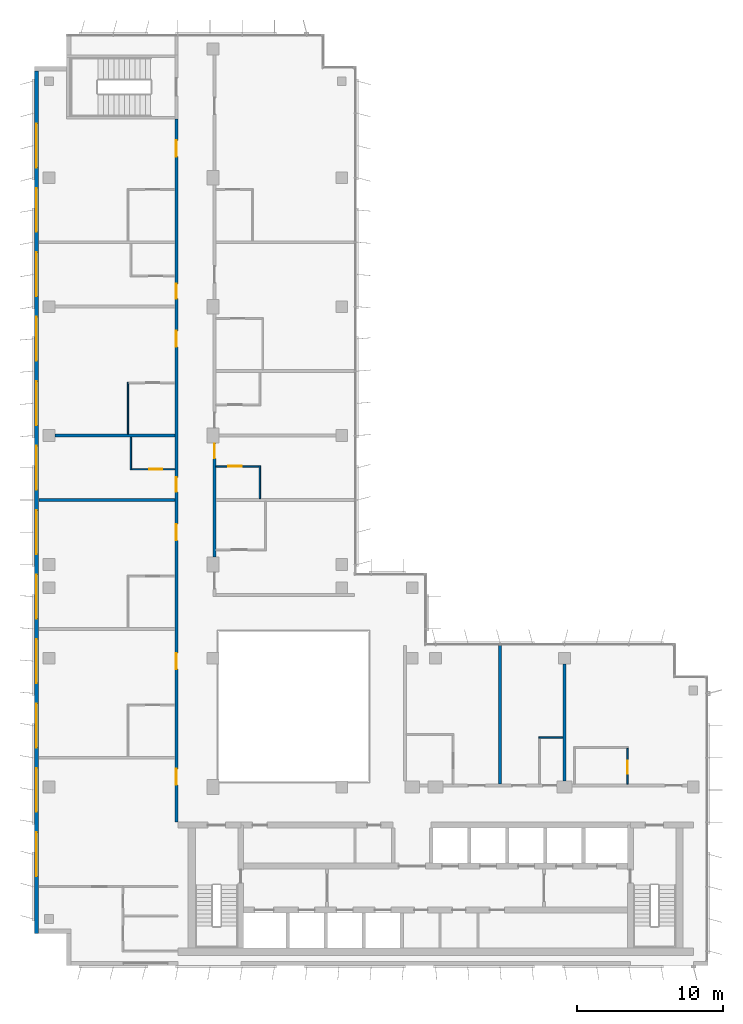
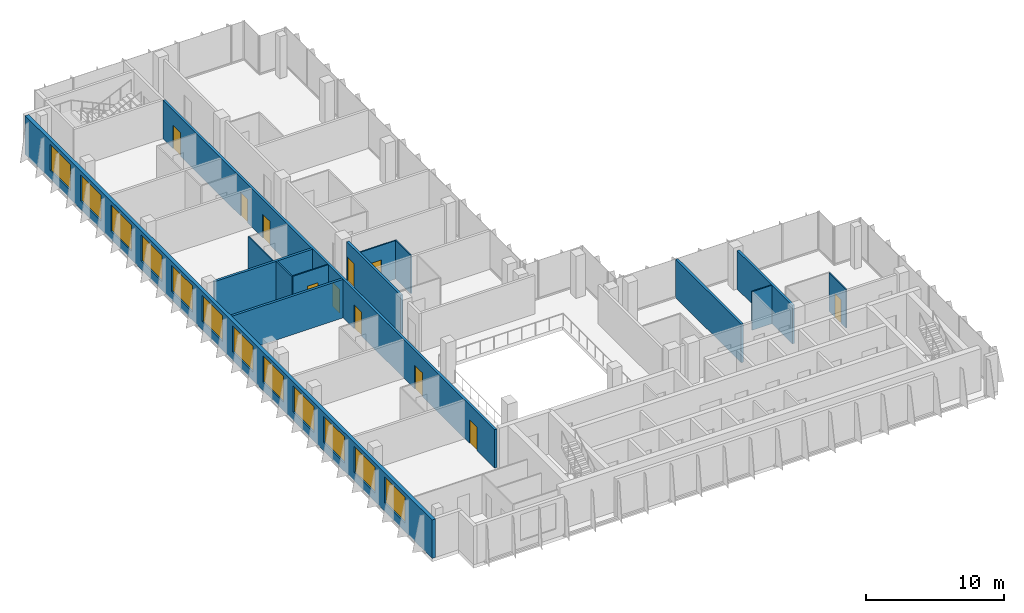
# One storey, part 11 of 16: 14 walls, 12 windows, 11 doors, 23 openings.
"""IFC4 building model written with IfcOpenShell, lengths in metres."""

import ifcopenshell
import ifcopenshell.guid

model = None  # the IFC model being written
_history = None  # IfcOwnerHistory: only IFC2X3 demands one
_inside = {}  # id of a spatial element -> (the spatial element, [elements in it])
_under = {}  # id of a project, library or spatial element -> (it, [spatial elements below it])
_declared = {}  # id of a project -> (the project, [libraries it declares])
_typed = {}  # id of a type object -> (the type object, [elements of that type])
_made_of = {}  # id of a material, layer set ... -> (it, [elements and type objects made of it])


def new_model(schema):
    """Start an empty IFC model of exactly this schema.

    Asked for "IFC4X3", IfcOpenShell would pick the latest addendum, in which some entities
    have other attributes; the version numbers below select the first issue.
    IFC2X3 requires an IfcOwnerHistory on every rooted entity: one is made here for all.
    """
    global model, _history
    if schema == "IFC4X3":
        model = ifcopenshell.file(schema_version=(4, 3, 0, 0))
    else:
        model = ifcopenshell.file(schema=schema)
    _inside.clear()
    _under.clear()
    _declared.clear()
    _typed.clear()
    _made_of.clear()
    _history = None
    if model.schema == "IFC2X3":
        org = make("IfcOrganization", Name="unknown")
        user = make(
            "IfcPersonAndOrganization",
            ThePerson=make("IfcPerson", FamilyName="unknown"),
            TheOrganization=org,
        )
        app = make(
            "IfcApplication",
            ApplicationDeveloper=org,
            Version="unknown",
            ApplicationFullName="unknown",
            ApplicationIdentifier="unknown",
        )
        _history = make(
            "IfcOwnerHistory",
            OwningUser=user,
            OwningApplication=app,
            ChangeAction="ADDED",
            CreationDate=0,
        )
    return model


def make(cls, **values):
    """One entity of the class cls with the attributes given. An attribute that is None is left unset."""
    return model.create_entity(
        cls, **{name: value for name, value in values.items() if value is not None}
    )


def rooted(cls, **values):
    """An entity with a GlobalId (a new one), such as an element, a storey or a relation."""
    return make(cls, GlobalId=ifcopenshell.guid.new(), OwnerHistory=_history, **values)


def si_unit(unit_type, name, prefix=None):
    """IfcSIUnit, for example si_unit("LENGTHUNIT", "METRE", prefix="MILLI")."""
    return make("IfcSIUnit", UnitType=unit_type, Prefix=prefix, Name=name)


def assignment(units):
    """IfcUnitAssignment: the units of a project."""
    return None if units is None else make("IfcUnitAssignment", Units=units)


def point(xyz):
    """IfcCartesianPoint."""
    return None if xyz is None else make("IfcCartesianPoint", Coordinates=xyz)


def direction(xyz):
    """IfcDirection."""
    return None if xyz is None else make("IfcDirection", DirectionRatios=xyz)


def frame(location, z_axis=None, x_axis=None):
    """IfcAxis2Placement3D, a coordinate frame: its origin and axes. An axis left out is left unset."""
    return make(
        "IfcAxis2Placement3D",
        Location=point(location),
        Axis=direction(z_axis),
        RefDirection=direction(x_axis),
    )


def frame_2d(location, x_axis=None):
    """IfcAxis2Placement2D, a coordinate frame in the plane: its origin and x axis."""
    return make(
        "IfcAxis2Placement2D", Location=point(location), RefDirection=direction(x_axis)
    )


def origin():
    """The frame at (0, 0, 0) with its axes left unset."""
    return frame((0.0, 0.0, 0.0))


def place(relative_to, where):
    """IfcLocalPlacement: puts the frame where relative to a parent placement (None: the world)."""
    return make(
        "IfcLocalPlacement", PlacementRelTo=relative_to, RelativePlacement=where
    )


def context(
    kind, dimensions, precision=None, world=None, true_north=None, identifier=None
):
    """IfcGeometricRepresentationContext, for example the 3D "Model" context."""
    return make(
        "IfcGeometricRepresentationContext",
        ContextIdentifier=identifier,
        ContextType=kind,
        CoordinateSpaceDimension=dimensions,
        Precision=precision,
        WorldCoordinateSystem=world,
        TrueNorth=true_north,
    )


def subcontext(parent, identifier, kind, view, scale=None):
    """IfcGeometricRepresentationSubContext, for example "Body" below "Model"."""
    return make(
        "IfcGeometricRepresentationSubContext",
        ContextIdentifier=identifier,
        ContextType=kind,
        ParentContext=parent,
        TargetScale=scale,
        TargetView=view,
    )


def project(units=None, contexts=None):
    """IfcProject with its units and contexts."""
    return rooted(
        "IfcProject",
        Name="project",
        RepresentationContexts=contexts,
        UnitsInContext=assignment(units),
    )


def spatial(cls, under=None, at=None, **own):
    """A site, building, storey or space (cls), placed at a placement, below another one or the project."""
    s = rooted(cls, ObjectPlacement=at, **own)
    if under is not None:
        _under.setdefault(under.id(), (under, []))[1].append(s)
    return s


def profile(cls, at=None, kind="AREA", **sizes):
    """A parametric profile (cls). Its sizes go by their IFC names, for example OverallWidth=200.0."""
    return make(cls, ProfileType=kind, Position=at, **sizes)


def rectangle(**sizes):
    """IfcRectangleProfileDef."""
    return profile("IfcRectangleProfileDef", **sizes)


def extrude(swept, where, along, depth):
    """IfcExtrudedAreaSolid: the profile swept, set in the frame where, extruded along a direction by depth."""
    return make(
        "IfcExtrudedAreaSolid",
        SweptArea=swept,
        Position=where,
        ExtrudedDirection=direction(along),
        Depth=depth,
    )


def shape(context_of_items, identifier, shape_type, items):
    """IfcShapeRepresentation: the items that make up one representation, for example the "Body"."""
    return make(
        "IfcShapeRepresentation",
        ContextOfItems=context_of_items,
        RepresentationIdentifier=identifier,
        RepresentationType=shape_type,
        Items=items,
    )


def material(Name=None, Category=None):
    """IfcMaterial."""
    return make("IfcMaterial", Name=Name, Category=Category)


def layer(
    of_material, thickness, ventilated=None, Name=None, Category=None, Priority=None
):
    """IfcMaterialLayer: one layer of a wall or slab, of a material (None: an air gap)."""
    return make(
        "IfcMaterialLayer",
        Material=of_material,
        LayerThickness=thickness,
        IsVentilated=ventilated,
        Name=Name,
        Category=Category,
        Priority=Priority,
    )


def layer_set(layers, Name=None):
    """IfcMaterialLayerSet."""
    return make("IfcMaterialLayerSet", MaterialLayers=layers, LayerSetName=Name)


def made_of(thing, what):
    """Note that an element or type object is made of a material, layer set ...; save() writes the relation."""
    if what is not None:
        _made_of.setdefault(what.id(), (what, []))[1].append(thing)
    return thing


def type_object(cls, material=None, **own):
    """A type object (cls), such as IfcWallType, which elements share."""
    return made_of(rooted(cls, **own), material)


def element(
    cls,
    number,
    at=None,
    inside=None,
    cuts=None,
    type_object=None,
    material=None,
    context=None,
    identifier="Body",
    shape_type=None,
    held_by="IfcProductDefinitionShape",
    body=None,
    shapes=None,
    **own,
):
    """One element of the class cls, such as IfcWall. Its Tag is "e" and its number.

    at: its placement. inside: the storey or other place that contains it. cuts: it is an
    opening in that element (IfcRelVoidsElement). A single representation is given by context,
    identifier, shape_type and body (its items); several are given by shapes. held_by: the class
    of the entity that holds the representations. save() writes the other relations.
    """
    e = rooted(cls, Tag="e%d" % number, ObjectPlacement=at, **own)
    if body is not None:
        shapes = [shape(context, identifier, shape_type, body)]
    if shapes is not None:
        e.Representation = make(held_by, Representations=shapes)
    if inside is not None:
        _inside.setdefault(inside.id(), (inside, []))[1].append(e)
    if cuts is not None:
        rooted(
            "IfcRelVoidsElement", RelatingBuildingElement=cuts, RelatedOpeningElement=e
        )
    if type_object is not None:
        _typed.setdefault(type_object.id(), (type_object, []))[1].append(e)
    return made_of(e, material)


def fill(opening, filler):
    """IfcRelFillsElement: the door or window that sits in an opening."""
    return rooted(
        "IfcRelFillsElement",
        RelatingOpeningElement=opening,
        RelatedBuildingElement=filler,
    )


def aggregate(whole, parts):
    """IfcRelAggregates: a whole, such as a stair, and the parts it consists of."""
    return rooted("IfcRelAggregates", RelatingObject=whole, RelatedObjects=parts)


def save(model, path):
    """Write the relations noted so far, then the file.

    IfcRelAggregates (storeys below a building ...), IfcRelContainedInSpatialStructure (elements
    in a storey), IfcRelDefinesByType, IfcRelAssociatesMaterial and IfcRelDeclares: one each for
    every whole, place, type object, material and project.
    """
    for whole, parts in _under.values():
        aggregate(whole, parts)
    for where, things in _inside.values():
        rooted(
            "IfcRelContainedInSpatialStructure",
            RelatedElements=things,
            RelatingStructure=where,
        )
    for kind, things in _typed.values():
        rooted("IfcRelDefinesByType", RelatedObjects=things, RelatingType=kind)
    for what, things in _made_of.values():
        rooted("IfcRelAssociatesMaterial", RelatedObjects=things, RelatingMaterial=what)
    for by, libraries in _declared.values():
        rooted("IfcRelDeclares", RelatingContext=by, RelatedDefinitions=libraries)
    model.write(path)


model = new_model("IFC4")

# Units and contexts
model_context = context("Model", 3, precision=1e-05, world=origin(), true_north=direction((0.0, 1.0)))
body_context = subcontext(model_context, "Body", "Model", "MODEL_VIEW")
ifc_project = project(units=[si_unit("LENGTHUNIT", "METRE"), si_unit("AREAUNIT", "SQUARE_METRE"), si_unit("VOLUMEUNIT", "CUBIC_METRE"), si_unit("PLANEANGLEUNIT", "RADIAN"), si_unit("MASSUNIT", "GRAM", prefix="KILO")], contexts=[model_context])

# Site, building, storey
site_placement = place(None, origin())
site = spatial("IfcSite", under=ifc_project, at=site_placement, CompositionType="ELEMENT")
building_placement = place(site_placement, origin())
building = spatial("IfcBuilding", under=site, at=building_placement, Name="Kemantara Hotel Tower", CompositionType="ELEMENT")
storey_placement = place(building_placement, frame((0.0, 0.0, 272.199951171875)))
storey = spatial("IfcBuildingStorey", under=building, at=storey_placement, Name="L68", CompositionType="ELEMENT", Elevation=272.199951171875)

# Wall, openings, windows
ifc_material_1 = material(Name="Bronze anodised aluminium cladding on insulated steel stud wall", Category="steel")
ifc_layer_1 = layer(ifc_material_1, 0.300048828125)
ifc_layer_set_1 = layer_set([ifc_layer_1], Name="Bronze anodised aluminium cladding on insulated steel stud wall")
wall_type_1 = type_object("IfcWallType", Name="BRONZE METAL-CLAD EXTERNAL WALL 300", PredefinedType="STANDARD", material=ifc_layer_set_1)
wall_1_placement = place(storey_placement, frame((0.14990234375, 61.10009765625, 0.0), z_axis=(0.0, 0.0, 1.0), x_axis=(0.0, -1.0, 0.0)))
wall_1 = element("IfcWall", 1, at=wall_1_placement, inside=storey, type_object=wall_type_1, Name="EXTERNAL WALL L68 T4-R05", PredefinedType="STANDARD", context=body_context, shape_type="SweptSolid", body=[
    extrude(rectangle(XDim=58.900146484375, YDim=0.300048828125, at=frame_2d((29.4501953125, 0.0))), origin(), (0.0, 0.0, 1.0), 3.400146484375),
])
opening_1_placement = place(wall_1_placement, frame((3.60009765625, 0.0, 0.75)))
opening_1 = element("IfcOpeningElement", 2, at=opening_1_placement, cuts=wall_1, Name="Opening W1", PredefinedType="OPENING", context=body_context, shape_type="SweptSolid", body=[
    extrude(rectangle(XDim=3.0, YDim=2.300048828125, at=frame_2d((1.5, 1.14990234375))), frame((0.0, 0.159912109375, 0.0), z_axis=(0.0, -1.0, 0.0), x_axis=(1.0, 0.0, 0.0)), (0.0, 0.0, 1.0), 0.320068359375),
])
opening_2_placement = place(wall_1_placement, frame((8.0, 0.0, 0.75)))
opening_2 = element("IfcOpeningElement", 3, at=opening_2_placement, cuts=wall_1, Name="Opening W1", PredefinedType="OPENING", context=body_context, shape_type="SweptSolid", body=[
    extrude(rectangle(XDim=3.0, YDim=2.300048828125, at=frame_2d((1.5, 1.14990234375))), frame((0.0, 0.159912109375, 0.0), z_axis=(0.0, -1.0, 0.0), x_axis=(1.0, 0.0, 0.0)), (0.0, 0.0, 1.0), 0.320068359375),
])
opening_3_placement = place(wall_1_placement, frame((12.39990234375, 0.0, 0.75)))
opening_3 = element("IfcOpeningElement", 4, at=opening_3_placement, cuts=wall_1, Name="Opening W1", PredefinedType="OPENING", context=body_context, shape_type="SweptSolid", body=[
    extrude(rectangle(XDim=3.0, YDim=2.300048828125, at=frame_2d((1.5, 1.14990234375))), frame((0.0, 0.159912109375, 0.0), z_axis=(0.0, -1.0, 0.0), x_axis=(1.0, 0.0, 0.0)), (0.0, 0.0, 1.0), 0.320068359375),
])
opening_4_placement = place(wall_1_placement, frame((16.800048828125, 0.0, 0.75)))
opening_4 = element("IfcOpeningElement", 5, at=opening_4_placement, cuts=wall_1, Name="Opening W1", PredefinedType="OPENING", context=body_context, shape_type="SweptSolid", body=[
    extrude(rectangle(XDim=3.0, YDim=2.300048828125, at=frame_2d((1.5, 1.14990234375))), frame((0.0, 0.159912109375, 0.0), z_axis=(0.0, -1.0, 0.0), x_axis=(1.0, 0.0, 0.0)), (0.0, 0.0, 1.0), 0.320068359375),
])
opening_5_placement = place(wall_1_placement, frame((21.199951171875, 0.0, 0.75)))
opening_5 = element("IfcOpeningElement", 6, at=opening_5_placement, cuts=wall_1, Name="Opening W1", PredefinedType="OPENING", context=body_context, shape_type="SweptSolid", body=[
    extrude(rectangle(XDim=3.0, YDim=2.300048828125, at=frame_2d((1.5, 1.14990234375))), frame((0.0, 0.159912109375, 0.0), z_axis=(0.0, -1.0, 0.0), x_axis=(1.0, 0.0, 0.0)), (0.0, 0.0, 1.0), 0.320068359375),
])
opening_6_placement = place(wall_1_placement, frame((25.60009765625, 0.0, 0.75)))
opening_6 = element("IfcOpeningElement", 7, at=opening_6_placement, cuts=wall_1, Name="Opening W1", PredefinedType="OPENING", context=body_context, shape_type="SweptSolid", body=[
    extrude(rectangle(XDim=3.0, YDim=2.300048828125, at=frame_2d((1.5, 1.14990234375))), frame((0.0, 0.159912109375, 0.0), z_axis=(0.0, -1.0, 0.0), x_axis=(1.0, 0.0, 0.0)), (0.0, 0.0, 1.0), 0.320068359375),
])
opening_7_placement = place(wall_1_placement, frame((30.0, 0.0, 0.75)))
opening_7 = element("IfcOpeningElement", 8, at=opening_7_placement, cuts=wall_1, Name="Opening W1", PredefinedType="OPENING", context=body_context, shape_type="SweptSolid", body=[
    extrude(rectangle(XDim=3.0, YDim=2.300048828125, at=frame_2d((1.5, 1.14990234375))), frame((0.0, 0.159912109375, 0.0), z_axis=(0.0, -1.0, 0.0), x_axis=(1.0, 0.0, 0.0)), (0.0, 0.0, 1.0), 0.320068359375),
])
opening_8_placement = place(wall_1_placement, frame((34.39990234375, 0.0, 0.75)))
opening_8 = element("IfcOpeningElement", 9, at=opening_8_placement, cuts=wall_1, Name="Opening W1", PredefinedType="OPENING", context=body_context, shape_type="SweptSolid", body=[
    extrude(rectangle(XDim=3.0, YDim=2.300048828125, at=frame_2d((1.5, 1.14990234375))), frame((0.0, 0.159912109375, 0.0), z_axis=(0.0, -1.0, 0.0), x_axis=(1.0, 0.0, 0.0)), (0.0, 0.0, 1.0), 0.320068359375),
])
opening_9_placement = place(wall_1_placement, frame((38.800048828125, 0.0, 0.75)))
opening_9 = element("IfcOpeningElement", 10, at=opening_9_placement, cuts=wall_1, Name="Opening W1", PredefinedType="OPENING", context=body_context, shape_type="SweptSolid", body=[
    extrude(rectangle(XDim=3.0, YDim=2.300048828125, at=frame_2d((1.5, 1.14990234375))), frame((0.0, 0.159912109375, 0.0), z_axis=(0.0, -1.0, 0.0), x_axis=(1.0, 0.0, 0.0)), (0.0, 0.0, 1.0), 0.320068359375),
])
opening_10_placement = place(wall_1_placement, frame((43.199951171875, 0.0, 0.75)))
opening_10 = element("IfcOpeningElement", 11, at=opening_10_placement, cuts=wall_1, Name="Opening W1", PredefinedType="OPENING", context=body_context, shape_type="SweptSolid", body=[
    extrude(rectangle(XDim=3.0, YDim=2.300048828125, at=frame_2d((1.5, 1.14990234375))), frame((0.0, 0.159912109375, 0.0), z_axis=(0.0, -1.0, 0.0), x_axis=(1.0, 0.0, 0.0)), (0.0, 0.0, 1.0), 0.320068359375),
])
opening_11_placement = place(wall_1_placement, frame((47.60009765625, 0.0, 0.75)))
opening_11 = element("IfcOpeningElement", 12, at=opening_11_placement, cuts=wall_1, Name="Opening W1", PredefinedType="OPENING", context=body_context, shape_type="SweptSolid", body=[
    extrude(rectangle(XDim=3.0, YDim=2.300048828125, at=frame_2d((1.5, 1.14990234375))), frame((0.0, 0.159912109375, 0.0), z_axis=(0.0, -1.0, 0.0), x_axis=(1.0, 0.0, 0.0)), (0.0, 0.0, 1.0), 0.320068359375),
])
opening_12_placement = place(wall_1_placement, frame((52.0, 0.0, 0.75)))
opening_12 = element("IfcOpeningElement", 13, at=opening_12_placement, cuts=wall_1, Name="Opening W1", PredefinedType="OPENING", context=body_context, shape_type="SweptSolid", body=[
    extrude(rectangle(XDim=3.0, YDim=2.300048828125, at=frame_2d((1.5, 1.14990234375))), frame((0.0, 0.159912109375, 0.0), z_axis=(0.0, -1.0, 0.0), x_axis=(1.0, 0.0, 0.0)), (0.0, 0.0, 1.0), 0.320068359375),
])
ifc_material_2 = material(Name="Low-E tinted double insulated glass in bronze anodised aluminium frame", Category="aluminium")
window_type = type_object("IfcWindowType", Name="CHICAGO WINDOW, TRIPLE PANEL 3000x2300", PartitioningType="TRIPLE_PANEL_VERTICAL", PredefinedType="WINDOW", material=ifc_material_2)
window_1_placement = place(opening_1_placement, origin())
window_1 = element("IfcWindow", 14, at=window_1_placement, inside=storey, type_object=window_type, Name="CHICAGO WINDOW L68 T4-R05-54", OverallHeight=2.300048828125, OverallWidth=3.0, PartitioningType="SINGLE_PANEL", PredefinedType="WINDOW", context=body_context, shape_type="SweptSolid", body=[
    extrude(rectangle(XDim=3.0, YDim=2.300048828125, at=frame_2d((1.5, 1.14990234375))), frame((0.0, 0.030029296875, 0.0), z_axis=(0.0, -1.0, 0.0), x_axis=(1.0, 0.0, 0.0)), (0.0, 0.0, 1.0), 0.06005859375),
])
fill(opening_1, window_1)
window_2_placement = place(opening_2_placement, origin())
window_2 = element("IfcWindow", 15, at=window_2_placement, inside=storey, type_object=window_type, Name="CHICAGO WINDOW L68 T4-R05-98", OverallHeight=2.300048828125, OverallWidth=3.0, PartitioningType="SINGLE_PANEL", PredefinedType="WINDOW", context=body_context, shape_type="SweptSolid", body=[
    extrude(rectangle(XDim=3.0, YDim=2.300048828125, at=frame_2d((1.5, 1.14990234375))), frame((0.0, 0.030029296875, 0.0), z_axis=(0.0, -1.0, 0.0), x_axis=(1.0, 0.0, 0.0)), (0.0, 0.0, 1.0), 0.06005859375),
])
fill(opening_2, window_2)
window_3_placement = place(opening_3_placement, origin())
window_3 = element("IfcWindow", 16, at=window_3_placement, inside=storey, type_object=window_type, Name="CHICAGO WINDOW L68 T4-R05-142", OverallHeight=2.300048828125, OverallWidth=3.0, PartitioningType="SINGLE_PANEL", PredefinedType="WINDOW", context=body_context, shape_type="SweptSolid", body=[
    extrude(rectangle(XDim=3.0, YDim=2.300048828125, at=frame_2d((1.5, 1.14990234375))), frame((0.0, 0.030029296875, 0.0), z_axis=(0.0, -1.0, 0.0), x_axis=(1.0, 0.0, 0.0)), (0.0, 0.0, 1.0), 0.06005859375),
])
fill(opening_3, window_3)
window_4_placement = place(opening_4_placement, origin())
window_4 = element("IfcWindow", 17, at=window_4_placement, inside=storey, type_object=window_type, Name="CHICAGO WINDOW L68 T4-R05-186", OverallHeight=2.300048828125, OverallWidth=3.0, PartitioningType="SINGLE_PANEL", PredefinedType="WINDOW", context=body_context, shape_type="SweptSolid", body=[
    extrude(rectangle(XDim=3.0, YDim=2.300048828125, at=frame_2d((1.5, 1.14990234375))), frame((0.0, 0.030029296875, 0.0), z_axis=(0.0, -1.0, 0.0), x_axis=(1.0, 0.0, 0.0)), (0.0, 0.0, 1.0), 0.06005859375),
])
fill(opening_4, window_4)
window_5_placement = place(opening_5_placement, origin())
window_5 = element("IfcWindow", 18, at=window_5_placement, inside=storey, type_object=window_type, Name="CHICAGO WINDOW L68 T4-R05-230", OverallHeight=2.300048828125, OverallWidth=3.0, PartitioningType="SINGLE_PANEL", PredefinedType="WINDOW", context=body_context, shape_type="SweptSolid", body=[
    extrude(rectangle(XDim=3.0, YDim=2.300048828125, at=frame_2d((1.5, 1.14990234375))), frame((0.0, 0.030029296875, 0.0), z_axis=(0.0, -1.0, 0.0), x_axis=(1.0, 0.0, 0.0)), (0.0, 0.0, 1.0), 0.06005859375),
])
fill(opening_5, window_5)
window_6_placement = place(opening_6_placement, origin())
window_6 = element("IfcWindow", 19, at=window_6_placement, inside=storey, type_object=window_type, Name="CHICAGO WINDOW L68 T4-R05-274", OverallHeight=2.300048828125, OverallWidth=3.0, PartitioningType="SINGLE_PANEL", PredefinedType="WINDOW", context=body_context, shape_type="SweptSolid", body=[
    extrude(rectangle(XDim=3.0, YDim=2.300048828125, at=frame_2d((1.5, 1.14990234375))), frame((0.0, 0.030029296875, 0.0), z_axis=(0.0, -1.0, 0.0), x_axis=(1.0, 0.0, 0.0)), (0.0, 0.0, 1.0), 0.06005859375),
])
fill(opening_6, window_6)
window_7_placement = place(opening_7_placement, origin())
window_7 = element("IfcWindow", 20, at=window_7_placement, inside=storey, type_object=window_type, Name="CHICAGO WINDOW L68 T4-R05-318", OverallHeight=2.300048828125, OverallWidth=3.0, PartitioningType="SINGLE_PANEL", PredefinedType="WINDOW", context=body_context, shape_type="SweptSolid", body=[
    extrude(rectangle(XDim=3.0, YDim=2.300048828125, at=frame_2d((1.5, 1.14990234375))), frame((0.0, 0.030029296875, 0.0), z_axis=(0.0, -1.0, 0.0), x_axis=(1.0, 0.0, 0.0)), (0.0, 0.0, 1.0), 0.06005859375),
])
fill(opening_7, window_7)
window_8_placement = place(opening_8_placement, origin())
window_8 = element("IfcWindow", 21, at=window_8_placement, inside=storey, type_object=window_type, Name="CHICAGO WINDOW L68 T4-R05-362", OverallHeight=2.300048828125, OverallWidth=3.0, PartitioningType="SINGLE_PANEL", PredefinedType="WINDOW", context=body_context, shape_type="SweptSolid", body=[
    extrude(rectangle(XDim=3.0, YDim=2.300048828125, at=frame_2d((1.5, 1.14990234375))), frame((0.0, 0.030029296875, 0.0), z_axis=(0.0, -1.0, 0.0), x_axis=(1.0, 0.0, 0.0)), (0.0, 0.0, 1.0), 0.06005859375),
])
fill(opening_8, window_8)
window_9_placement = place(opening_9_placement, origin())
window_9 = element("IfcWindow", 22, at=window_9_placement, inside=storey, type_object=window_type, Name="CHICAGO WINDOW L68 T4-R05-406", OverallHeight=2.300048828125, OverallWidth=3.0, PartitioningType="SINGLE_PANEL", PredefinedType="WINDOW", context=body_context, shape_type="SweptSolid", body=[
    extrude(rectangle(XDim=3.0, YDim=2.300048828125, at=frame_2d((1.5, 1.14990234375))), frame((0.0, 0.030029296875, 0.0), z_axis=(0.0, -1.0, 0.0), x_axis=(1.0, 0.0, 0.0)), (0.0, 0.0, 1.0), 0.06005859375),
])
fill(opening_9, window_9)
window_10_placement = place(opening_10_placement, origin())
window_10 = element("IfcWindow", 23, at=window_10_placement, inside=storey, type_object=window_type, Name="CHICAGO WINDOW L68 T4-R05-450", OverallHeight=2.300048828125, OverallWidth=3.0, PartitioningType="SINGLE_PANEL", PredefinedType="WINDOW", context=body_context, shape_type="SweptSolid", body=[
    extrude(rectangle(XDim=3.0, YDim=2.300048828125, at=frame_2d((1.5, 1.14990234375))), frame((0.0, 0.030029296875, 0.0), z_axis=(0.0, -1.0, 0.0), x_axis=(1.0, 0.0, 0.0)), (0.0, 0.0, 1.0), 0.06005859375),
])
fill(opening_10, window_10)
window_11_placement = place(opening_11_placement, origin())
window_11 = element("IfcWindow", 24, at=window_11_placement, inside=storey, type_object=window_type, Name="CHICAGO WINDOW L68 T4-R05-494", OverallHeight=2.300048828125, OverallWidth=3.0, PartitioningType="SINGLE_PANEL", PredefinedType="WINDOW", context=body_context, shape_type="SweptSolid", body=[
    extrude(rectangle(XDim=3.0, YDim=2.300048828125, at=frame_2d((1.5, 1.14990234375))), frame((0.0, 0.030029296875, 0.0), z_axis=(0.0, -1.0, 0.0), x_axis=(1.0, 0.0, 0.0)), (0.0, 0.0, 1.0), 0.06005859375),
])
fill(opening_11, window_11)
window_12_placement = place(opening_12_placement, origin())
window_12 = element("IfcWindow", 25, at=window_12_placement, inside=storey, type_object=window_type, Name="CHICAGO WINDOW L68 T4-R05-538", OverallHeight=2.300048828125, OverallWidth=3.0, PartitioningType="SINGLE_PANEL", PredefinedType="WINDOW", context=body_context, shape_type="SweptSolid", body=[
    extrude(rectangle(XDim=3.0, YDim=2.300048828125, at=frame_2d((1.5, 1.14990234375))), frame((0.0, 0.030029296875, 0.0), z_axis=(0.0, -1.0, 0.0), x_axis=(1.0, 0.0, 0.0)), (0.0, 0.0, 1.0), 0.06005859375),
])
fill(opening_12, window_12)

# Wall, openings, doors
ifc_material_3 = material(Name="Gypsum board partition, steel studs and mineral wool, 200 mm", Category="steel")
ifc_layer_2 = layer(ifc_material_3, 0.199951171875)
ifc_layer_set_2 = layer_set([ifc_layer_2], Name="Gypsum board partition, steel studs and mineral wool, 200 mm")
wall_type_2 = type_object("IfcWallType", Name="CORRIDOR WALL 200", PredefinedType="PARTITIONING", material=ifc_layer_set_2)
wall_2_placement = place(storey_placement, frame((9.699951171875, 9.800048828125, 0.0), z_axis=(0.0, 0.0, 1.0), x_axis=(0.0, 1.0, 0.0)))
wall_2 = element("IfcWall", 26, at=wall_2_placement, inside=storey, type_object=wall_type_2, Name="CORRIDOR WALL 200 007", PredefinedType="PARTITIONING", context=body_context, shape_type="SweptSolid", body=[
    extrude(rectangle(XDim=48.0, YDim=0.199951171875, at=frame_2d((24.0, 0.0))), origin(), (0.0, 0.0, 1.0), 3.400146484375),
])
opening_13_placement = place(wall_2_placement, frame((2.550048828125, 0.0, 0.0)))
opening_13 = element("IfcOpeningElement", 27, at=opening_13_placement, cuts=wall_2, Name="Opening F33-007", PredefinedType="OPENING", context=body_context, shape_type="SweptSolid", body=[
    extrude(rectangle(XDim=1.10009765625, YDim=2.10009765625, at=frame_2d((0.550048828125, 1.050048828125))), frame((0.0, 0.10986328125, 0.0), z_axis=(0.0, -1.0, 0.0), x_axis=(1.0, 0.0, 0.0)), (0.0, 0.0, 1.0), 0.219970703125),
])
opening_14_placement = place(wall_2_placement, frame((10.449951171875, 0.0, 0.0)))
opening_14 = element("IfcOpeningElement", 28, at=opening_14_placement, cuts=wall_2, Name="Opening F33-011", PredefinedType="OPENING", context=body_context, shape_type="SweptSolid", body=[
    extrude(rectangle(XDim=1.10009765625, YDim=2.10009765625, at=frame_2d((0.550048828125, 1.050048828125))), frame((0.0, 0.10986328125, 0.0), z_axis=(0.0, -1.0, 0.0), x_axis=(1.0, 0.0, 0.0)), (0.0, 0.0, 1.0), 0.219970703125),
])
opening_15_placement = place(wall_2_placement, frame((19.25, 0.0, 0.0)))
opening_15 = element("IfcOpeningElement", 29, at=opening_15_placement, cuts=wall_2, Name="Opening F33-013", PredefinedType="OPENING", context=body_context, shape_type="SweptSolid", body=[
    extrude(rectangle(XDim=1.10009765625, YDim=2.10009765625, at=frame_2d((0.550048828125, 1.050048828125))), frame((0.0, 0.10986328125, 0.0), z_axis=(0.0, -1.0, 0.0), x_axis=(1.0, 0.0, 0.0)), (0.0, 0.0, 1.0), 0.219970703125),
])
opening_16_placement = place(wall_2_placement, frame((22.550048828125, 0.0, 0.0)))
opening_16 = element("IfcOpeningElement", 30, at=opening_16_placement, cuts=wall_2, Name="Opening F33-015", PredefinedType="OPENING", context=body_context, shape_type="SweptSolid", body=[
    extrude(rectangle(XDim=1.0, YDim=2.10009765625, at=frame_2d((0.5, 1.050048828125))), frame((0.0, 0.10986328125, 0.0), z_axis=(0.0, -1.0, 0.0), x_axis=(1.0, 0.0, 0.0)), (0.0, 0.0, 1.0), 0.219970703125),
])
opening_17_placement = place(wall_2_placement, frame((32.449951171875, 0.0, 0.0)))
opening_17 = element("IfcOpeningElement", 31, at=opening_17_placement, cuts=wall_2, Name="Opening F33-017", PredefinedType="OPENING", context=body_context, shape_type="SweptSolid", body=[
    extrude(rectangle(XDim=1.10009765625, YDim=2.10009765625, at=frame_2d((0.550048828125, 1.050048828125))), frame((0.0, 0.10986328125, 0.0), z_axis=(0.0, -1.0, 0.0), x_axis=(1.0, 0.0, 0.0)), (0.0, 0.0, 1.0), 0.219970703125),
])
opening_18_placement = place(wall_2_placement, frame((35.75, 0.0, 0.0)))
opening_18 = element("IfcOpeningElement", 32, at=opening_18_placement, cuts=wall_2, Name="Opening F33-019", PredefinedType="OPENING", context=body_context, shape_type="SweptSolid", body=[
    extrude(rectangle(XDim=1.0, YDim=2.10009765625, at=frame_2d((0.5, 1.050048828125))), frame((0.0, 0.10986328125, 0.0), z_axis=(0.0, -1.0, 0.0), x_axis=(1.0, 0.0, 0.0)), (0.0, 0.0, 1.0), 0.219970703125),
])
opening_19_placement = place(wall_2_placement, frame((45.449951171875, 0.0, 0.0)))
opening_19 = element("IfcOpeningElement", 33, at=opening_19_placement, cuts=wall_2, Name="Opening F33-021", PredefinedType="OPENING", context=body_context, shape_type="SweptSolid", body=[
    extrude(rectangle(XDim=1.10009765625, YDim=2.10009765625, at=frame_2d((0.550048828125, 1.050048828125))), frame((0.0, 0.10986328125, 0.0), z_axis=(0.0, -1.0, 0.0), x_axis=(1.0, 0.0, 0.0)), (0.0, 0.0, 1.0), 0.219970703125),
])
ifc_material_4 = material(Name="Hardwood veneer door leaf with steel frame", Category="steel")
door_type_1 = type_object("IfcDoorType", Name="GUEST ROOM DOOR 1000 X 2100 FD30S", OperationType="NOTDEFINED", PredefinedType="DOOR", material=ifc_material_4)
door_1_placement = place(opening_16_placement, origin())
door_1 = element("IfcDoor", 34, at=door_1_placement, inside=storey, type_object=door_type_1, Name="GUEST ROOM DOOR F33-015", OperationType="SINGLE_SWING_LEFT", OverallHeight=2.10009765625, OverallWidth=1.0, PredefinedType="DOOR", context=body_context, shape_type="SweptSolid", body=[
    extrude(rectangle(XDim=1.0, YDim=2.10009765625, at=frame_2d((0.5, 1.050048828125))), frame((0.0, 0.02490234375, 0.0), z_axis=(0.0, -1.0, 0.0), x_axis=(1.0, 0.0, 0.0)), (0.0, 0.0, 1.0), 0.050048828125),
])
fill(opening_16, door_1)
door_2_placement = place(opening_18_placement, origin())
door_2 = element("IfcDoor", 35, at=door_2_placement, inside=storey, type_object=door_type_1, Name="GUEST ROOM DOOR F33-019", OperationType="SINGLE_SWING_LEFT", OverallHeight=2.10009765625, OverallWidth=1.0, PredefinedType="DOOR", context=body_context, shape_type="SweptSolid", body=[
    extrude(rectangle(XDim=1.0, YDim=2.10009765625, at=frame_2d((0.5, 1.050048828125))), frame((0.0, 0.02490234375, 0.0), z_axis=(0.0, -1.0, 0.0), x_axis=(1.0, 0.0, 0.0)), (0.0, 0.0, 1.0), 0.050048828125),
])
fill(opening_18, door_2)
door_type_2 = type_object("IfcDoorType", Name="SUITE ENTRANCE DOOR 1100 X 2100 FD30S", OperationType="NOTDEFINED", PredefinedType="DOOR", material=ifc_material_4)
door_3_placement = place(opening_13_placement, origin())
door_3 = element("IfcDoor", 36, at=door_3_placement, inside=storey, type_object=door_type_2, Name="SUITE ENTRANCE DOOR F33-007", OperationType="SINGLE_SWING_RIGHT", OverallHeight=2.10009765625, OverallWidth=1.10009765625, PredefinedType="DOOR", context=body_context, shape_type="SweptSolid", body=[
    extrude(rectangle(XDim=1.10009765625, YDim=2.10009765625, at=frame_2d((0.550048828125, 1.050048828125))), frame((0.0, 0.02490234375, 0.0), z_axis=(0.0, -1.0, 0.0), x_axis=(1.0, 0.0, 0.0)), (0.0, 0.0, 1.0), 0.050048828125),
])
fill(opening_13, door_3)
door_4_placement = place(opening_14_placement, origin())
door_4 = element("IfcDoor", 37, at=door_4_placement, inside=storey, type_object=door_type_2, Name="SUITE ENTRANCE DOOR F33-011", OperationType="SINGLE_SWING_RIGHT", OverallHeight=2.10009765625, OverallWidth=1.10009765625, PredefinedType="DOOR", context=body_context, shape_type="SweptSolid", body=[
    extrude(rectangle(XDim=1.10009765625, YDim=2.10009765625, at=frame_2d((0.550048828125, 1.050048828125))), frame((0.0, 0.02490234375, 0.0), z_axis=(0.0, -1.0, 0.0), x_axis=(1.0, 0.0, 0.0)), (0.0, 0.0, 1.0), 0.050048828125),
])
fill(opening_14, door_4)
door_5_placement = place(opening_15_placement, origin())
door_5 = element("IfcDoor", 38, at=door_5_placement, inside=storey, type_object=door_type_2, Name="SUITE ENTRANCE DOOR F33-013", OperationType="SINGLE_SWING_RIGHT", OverallHeight=2.10009765625, OverallWidth=1.10009765625, PredefinedType="DOOR", context=body_context, shape_type="SweptSolid", body=[
    extrude(rectangle(XDim=1.10009765625, YDim=2.10009765625, at=frame_2d((0.550048828125, 1.050048828125))), frame((0.0, 0.02490234375, 0.0), z_axis=(0.0, -1.0, 0.0), x_axis=(1.0, 0.0, 0.0)), (0.0, 0.0, 1.0), 0.050048828125),
])
fill(opening_15, door_5)
door_6_placement = place(opening_17_placement, origin())
door_6 = element("IfcDoor", 39, at=door_6_placement, inside=storey, type_object=door_type_2, Name="SUITE ENTRANCE DOOR F33-017", OperationType="SINGLE_SWING_RIGHT", OverallHeight=2.10009765625, OverallWidth=1.10009765625, PredefinedType="DOOR", context=body_context, shape_type="SweptSolid", body=[
    extrude(rectangle(XDim=1.10009765625, YDim=2.10009765625, at=frame_2d((0.550048828125, 1.050048828125))), frame((0.0, 0.02490234375, 0.0), z_axis=(0.0, -1.0, 0.0), x_axis=(1.0, 0.0, 0.0)), (0.0, 0.0, 1.0), 0.050048828125),
])
fill(opening_17, door_6)
door_7_placement = place(opening_19_placement, origin())
door_7 = element("IfcDoor", 40, at=door_7_placement, inside=storey, type_object=door_type_2, Name="SUITE ENTRANCE DOOR F33-021", OperationType="SINGLE_SWING_RIGHT", OverallHeight=2.10009765625, OverallWidth=1.10009765625, PredefinedType="DOOR", context=body_context, shape_type="SweptSolid", body=[
    extrude(rectangle(XDim=1.10009765625, YDim=2.10009765625, at=frame_2d((0.550048828125, 1.050048828125))), frame((0.0, 0.02490234375, 0.0), z_axis=(0.0, -1.0, 0.0), x_axis=(1.0, 0.0, 0.0)), (0.0, 0.0, 1.0), 0.050048828125),
])
fill(opening_19, door_7)

# Wall, opening, door
wall_3_placement = place(storey_placement, frame((12.300048828125, 35.699951171875, 0.0), z_axis=(0.0, 0.0, 1.0), x_axis=(0.0, -1.0, 0.0)))
wall_3 = element("IfcWall", 41, at=wall_3_placement, inside=storey, type_object=wall_type_2, Name="CORRIDOR WALL 200 019", PredefinedType="PARTITIONING", context=body_context, shape_type="SweptSolid", body=[
    extrude(rectangle(XDim=7.7998046875, YDim=0.199951171875, at=frame_2d((3.89990234375, 0.0))), origin(), (0.0, 0.0, 1.0), 3.400146484375),
])
opening_20_placement = place(wall_3_placement, frame((0.0498046875, 0.0, 0.0)))
opening_20 = element("IfcOpeningElement", 42, at=opening_20_placement, cuts=wall_3, Name="Opening F33-025", PredefinedType="OPENING", context=body_context, shape_type="SweptSolid", body=[
    extrude(rectangle(XDim=1.0, YDim=2.10009765625, at=frame_2d((0.5, 1.050048828125))), frame((0.0, 0.10986328125, 0.0), z_axis=(0.0, -1.0, 0.0), x_axis=(1.0, 0.0, 0.0)), (0.0, 0.0, 1.0), 0.219970703125),
])
door_8_placement = place(opening_20_placement, origin())
door_8 = element("IfcDoor", 43, at=door_8_placement, inside=storey, type_object=door_type_1, Name="GUEST ROOM DOOR F33-025", OperationType="SINGLE_SWING_LEFT", OverallHeight=2.10009765625, OverallWidth=1.0, PredefinedType="DOOR", context=body_context, shape_type="SweptSolid", body=[
    extrude(rectangle(XDim=1.0, YDim=2.10009765625, at=frame_2d((0.5, 1.050048828125))), frame((0.0, 0.02490234375, 0.0), z_axis=(0.0, -1.0, 0.0), x_axis=(1.0, 0.0, 0.0)), (0.0, 0.0, 1.0), 0.050048828125),
])
fill(opening_20, door_8)

# Walls
ifc_layer_3 = layer(ifc_material_3, 0.199951171875)
ifc_layer_set_3 = layer_set([ifc_layer_3], Name="Gypsum board partition, steel studs and mineral wool, 200 mm")
wall_type_3 = type_object("IfcWallType", Name="GUEST ROOM PARTY WALL 200", PredefinedType="PARTITIONING", material=ifc_layer_set_3)
wall_4_placement = place(storey_placement, frame((31.800048828125, 12.39990234375, 0.0), z_axis=(0.0, 0.0, 1.0), x_axis=(0.0, 1.0, 0.0)))
element("IfcWall", 44, at=wall_4_placement, inside=storey, type_object=wall_type_3, Name="GUEST ROOM PARTY WALL 200 005", PredefinedType="PARTITIONING", context=body_context, shape_type="SweptSolid", body=[
    extrude(rectangle(XDim=9.47021484375, YDim=0.199951171875, at=frame_2d((4.735107421875, 0.0))), origin(), (0.0, 0.0, 1.0), 3.400146484375),
])
wall_5_placement = place(storey_placement, frame((36.199951171875, 12.60009765625, 0.0), z_axis=(0.0, 0.0, 1.0), x_axis=(0.0, 1.0, 0.0)))
element("IfcWall", 45, at=wall_5_placement, inside=storey, type_object=wall_type_3, Name="GUEST ROOM PARTY WALL 200 006", PredefinedType="PARTITIONING", context=body_context, shape_type="SweptSolid", body=[
    extrude(rectangle(XDim=7.999755859375, YDim=0.199951171875, at=frame_2d((4.0, 0.0))), origin(), (0.0, 0.0, 1.0), 3.400146484375),
])
wall_6_placement = place(storey_placement, frame((0.31005859375, 31.800048828125, 0.0), z_axis=(0.0, 0.0, 1.0), x_axis=(1.0, 0.0, 0.0)))
element("IfcWall", 46, at=wall_6_placement, inside=storey, type_object=wall_type_3, Name="GUEST ROOM PARTY WALL 200 011", PredefinedType="PARTITIONING", context=body_context, shape_type="SweptSolid", body=[
    extrude(rectangle(XDim=9.2900390625, YDim=0.199951171875, at=frame_2d((4.64501953125, 0.0))), origin(), (0.0, 0.0, 1.0), 3.400146484375),
])
wall_7_placement = place(storey_placement, frame((1.400146484375, 36.199951171875, 0.0), z_axis=(0.0, 0.0, 1.0), x_axis=(1.0, 0.0, 0.0)))
element("IfcWall", 47, at=wall_7_placement, inside=storey, type_object=wall_type_3, Name="GUEST ROOM PARTY WALL 200 013", PredefinedType="PARTITIONING", context=body_context, shape_type="SweptSolid", body=[
    extrude(rectangle(XDim=8.199951171875, YDim=0.199951171875, at=frame_2d((4.10009765625, 0.0))), origin(), (0.0, 0.0, 1.0), 3.400146484375),
])
ifc_material_5 = material(Name="Gypsum board partition on steel studs, 100 mm", Category="steel")
ifc_layer_4 = layer(ifc_material_5, 0.10009765625)
ifc_layer_set_4 = layer_set([ifc_layer_4], Name="Gypsum board partition on steel studs, 100 mm")
wall_type_4 = type_object("IfcWallType", Name="ROOM PARTITION 100", PredefinedType="PARTITIONING", material=ifc_layer_set_4)
wall_8_placement = place(storey_placement, frame((34.449951171875, 15.60009765625, 0.0), z_axis=(0.0, 0.0, 1.0), x_axis=(1.0, 0.0, 0.0)))
element("IfcWall", 48, at=wall_8_placement, inside=storey, type_object=wall_type_4, Name="ROOM PARTITION 100 027", PredefinedType="PARTITIONING", context=body_context, shape_type="SweptSolid", body=[
    extrude(rectangle(XDim=1.650146484375, YDim=0.10009765625, at=frame_2d((0.8251953125, 0.0))), origin(), (0.0, 0.0, 1.0), 3.400146484375),
])

# Wall, opening, door
wall_9_placement = place(storey_placement, frame((40.5, 12.39990234375, 0.0), z_axis=(0.0, 0.0, 1.0), x_axis=(0.0, 1.0, 0.0)))
wall_9 = element("IfcWall", 49, at=wall_9_placement, inside=storey, type_object=wall_type_4, Name="ROOM PARTITION 100 031", PredefinedType="PARTITIONING", context=body_context, shape_type="SweptSolid", body=[
    extrude(rectangle(XDim=2.4501953125, YDim=0.10009765625, at=frame_2d((1.22509765625, 0.0))), origin(), (0.0, 0.0, 1.0), 3.400146484375),
])
opening_21_placement = place(wall_9_placement, frame((0.699951171875, 0.0, 0.0)))
opening_21 = element("IfcOpeningElement", 50, at=opening_21_placement, cuts=wall_9, Name="Opening F33-006", PredefinedType="OPENING", context=body_context, shape_type="SweptSolid", body=[
    extrude(rectangle(XDim=0.89990234375, YDim=2.10009765625, at=frame_2d((0.449951171875, 1.050048828125))), frame((0.0, 0.06005859375, 0.0), z_axis=(0.0, -1.0, 0.0), x_axis=(1.0, 0.0, 0.0)), (0.0, 0.0, 1.0), 0.1201171875),
])
door_type_3 = type_object("IfcDoorType", Name="BATHROOM DOOR 900 X 2100", OperationType="NOTDEFINED", PredefinedType="DOOR", material=ifc_material_4)
door_9_placement = place(opening_21_placement, origin())
door_9 = element("IfcDoor", 51, at=door_9_placement, inside=storey, type_object=door_type_3, Name="BATHROOM DOOR F33-006", OperationType="SINGLE_SWING_LEFT", OverallHeight=2.10009765625, OverallWidth=0.89990234375, PredefinedType="DOOR", context=body_context, shape_type="SweptSolid", body=[
    extrude(rectangle(XDim=0.89990234375, YDim=2.10009765625, at=frame_2d((0.449951171875, 1.050048828125))), frame((0.0, 0.02490234375, 0.0), z_axis=(0.0, -1.0, 0.0), x_axis=(1.0, 0.0, 0.0)), (0.0, 0.0, 1.0), 0.050048828125),
])
fill(opening_21, door_9)

# Walls
wall_10_placement = place(storey_placement, frame((6.39990234375, 36.300048828125, 0.0), z_axis=(0.0, 0.0, 1.0), x_axis=(0.0, 1.0, 0.0)))
element("IfcWall", 52, at=wall_10_placement, inside=storey, type_object=wall_type_4, Name="ROOM PARTITION 100 038", PredefinedType="PARTITIONING", context=body_context, shape_type="SweptSolid", body=[
    extrude(rectangle(XDim=3.550048828125, YDim=0.10009765625, at=frame_2d((1.77490234375, 0.0))), origin(), (0.0, 0.0, 1.0), 3.400146484375),
])
wall_11_placement = place(storey_placement, frame((6.60009765625, 33.85009765625, 0.0), z_axis=(0.0, 0.0, 1.0), x_axis=(0.0, 1.0, 0.0)))
element("IfcWall", 53, at=wall_11_placement, inside=storey, type_object=wall_type_4, Name="ROOM PARTITION 100 042", PredefinedType="PARTITIONING", context=body_context, shape_type="SweptSolid", body=[
    extrude(rectangle(XDim=2.25, YDim=0.10009765625, at=frame_2d((1.125, 0.0))), origin(), (0.0, 0.0, 1.0), 3.400146484375),
])

# Wall, opening, door
wall_12_placement = place(storey_placement, frame((6.64990234375, 33.89990234375, 0.0), z_axis=(0.0, 0.0, 1.0), x_axis=(1.0, 0.0, 0.0)))
wall_12 = element("IfcWall", 54, at=wall_12_placement, inside=storey, type_object=wall_type_4, Name="ROOM PARTITION 100 044", PredefinedType="PARTITIONING", context=body_context, shape_type="SweptSolid", body=[
    extrude(rectangle(XDim=2.9501953125, YDim=0.10009765625, at=frame_2d((1.47509765625, 0.0))), origin(), (0.0, 0.0, 1.0), 3.400146484375),
])
opening_22_placement = place(wall_12_placement, frame((1.199951171875, 0.0, 0.0)))
opening_22 = element("IfcOpeningElement", 55, at=opening_22_placement, cuts=wall_12, Name="Opening F33-016", PredefinedType="OPENING", context=body_context, shape_type="SweptSolid", body=[
    extrude(rectangle(XDim=0.89990234375, YDim=2.10009765625, at=frame_2d((0.449951171875, 1.050048828125))), frame((0.0, 0.06005859375, 0.0), z_axis=(0.0, -1.0, 0.0), x_axis=(1.0, 0.0, 0.0)), (0.0, 0.0, 1.0), 0.1201171875),
])
door_10_placement = place(opening_22_placement, origin())
door_10 = element("IfcDoor", 56, at=door_10_placement, inside=storey, type_object=door_type_3, Name="BATHROOM DOOR F33-016", OperationType="SINGLE_SWING_RIGHT", OverallHeight=2.10009765625, OverallWidth=0.89990234375, PredefinedType="DOOR", context=body_context, shape_type="SweptSolid", body=[
    extrude(rectangle(XDim=0.89990234375, YDim=2.10009765625, at=frame_2d((0.449951171875, 1.050048828125))), frame((0.0, 0.02490234375, 0.0), z_axis=(0.0, -1.0, 0.0), x_axis=(1.0, 0.0, 0.0)), (0.0, 0.0, 1.0), 0.050048828125),
])
fill(opening_22, door_10)

# Wall
wall_13_placement = place(storey_placement, frame((15.39990234375, 31.89990234375, 0.0), z_axis=(0.0, 0.0, 1.0), x_axis=(0.0, 1.0, 0.0)))
element("IfcWall", 57, at=wall_13_placement, inside=storey, type_object=wall_type_4, Name="ROOM PARTITION 100 051", PredefinedType="PARTITIONING", context=body_context, shape_type="SweptSolid", body=[
    extrude(rectangle(XDim=2.25, YDim=0.10009765625, at=frame_2d((1.125, 0.0))), origin(), (0.0, 0.0, 1.0), 3.400146484375),
])

# Wall, opening, door
wall_14_placement = place(storey_placement, frame((15.35009765625, 34.10009765625, 0.0), z_axis=(0.0, 0.0, 1.0), x_axis=(-1.0, 0.0, 0.0)))
wall_14 = element("IfcWall", 58, at=wall_14_placement, inside=storey, type_object=wall_type_4, Name="ROOM PARTITION 100 053", PredefinedType="PARTITIONING", context=body_context, shape_type="SweptSolid", body=[
    extrude(rectangle(XDim=2.9501953125, YDim=0.10009765625, at=frame_2d((1.47509765625, 0.0))), origin(), (0.0, 0.0, 1.0), 3.400146484375),
])
opening_23_placement = place(wall_14_placement, frame((1.199951171875, 0.0, 0.0)))
opening_23 = element("IfcOpeningElement", 59, at=opening_23_placement, cuts=wall_14, Name="Opening F33-026", PredefinedType="OPENING", context=body_context, shape_type="SweptSolid", body=[
    extrude(rectangle(XDim=0.89990234375, YDim=2.10009765625, at=frame_2d((0.449951171875, 1.050048828125))), frame((0.0, 0.06005859375, 0.0), z_axis=(0.0, -1.0, 0.0), x_axis=(1.0, 0.0, 0.0)), (0.0, 0.0, 1.0), 0.1201171875),
])
door_11_placement = place(opening_23_placement, origin())
door_11 = element("IfcDoor", 60, at=door_11_placement, inside=storey, type_object=door_type_3, Name="BATHROOM DOOR F33-026", OperationType="SINGLE_SWING_RIGHT", OverallHeight=2.10009765625, OverallWidth=0.89990234375, PredefinedType="DOOR", context=body_context, shape_type="SweptSolid", body=[
    extrude(rectangle(XDim=0.89990234375, YDim=2.10009765625, at=frame_2d((0.449951171875, 1.050048828125))), frame((0.0, 0.02490234375, 0.0), z_axis=(0.0, -1.0, 0.0), x_axis=(1.0, 0.0, 0.0)), (0.0, 0.0, 1.0), 0.050048828125),
])
fill(opening_23, door_11)

save(model, "model.ifc")
